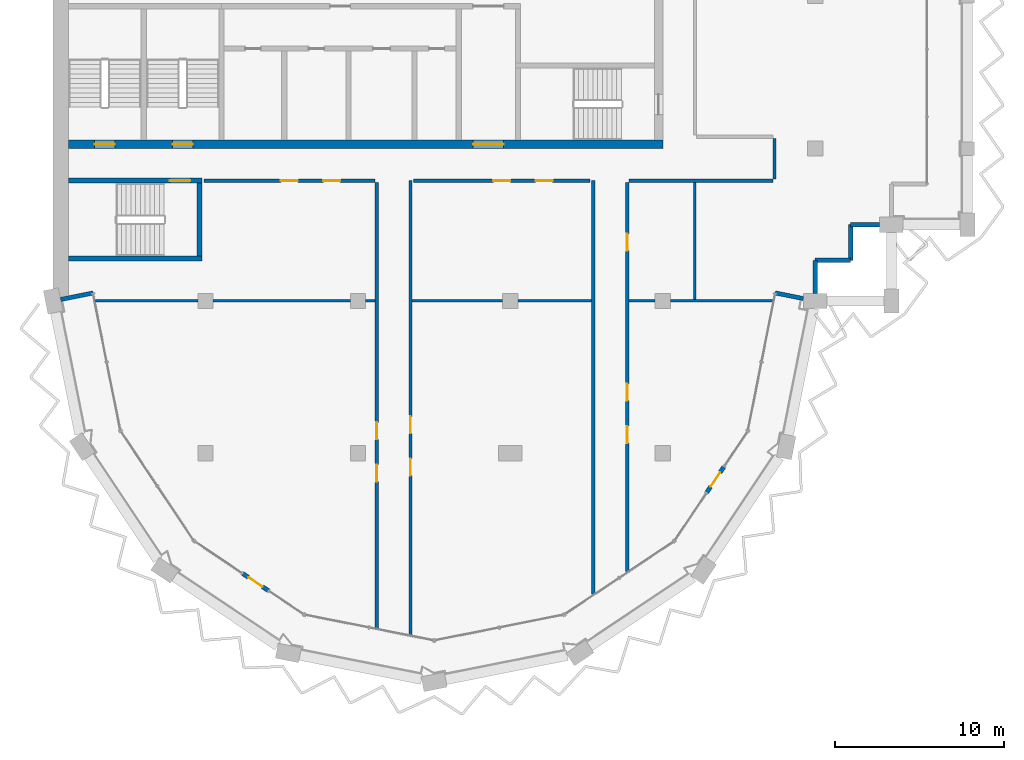
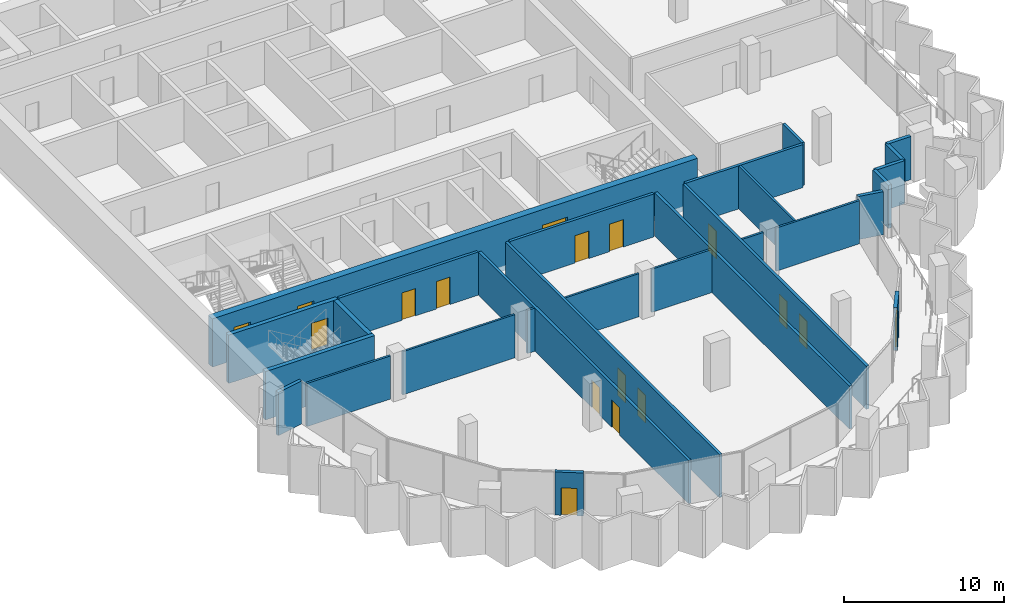
# One storey, part 7 of 14: 28 walls, 17 doors, 17 openings.
"""IFC4 building model written with IfcOpenShell, lengths in metres."""

from ifc_helpers import new_model, si_unit, direction, frame, frame_2d, origin, place, context, subcontext, project, spatial, rectangle, extrude, material, layer, layer_set, type_object, element, fill, save


model = new_model("IFC4")

# Units and contexts
model_context = context("Model", 3, precision=1e-05, world=origin(), true_north=direction((0.0, 1.0)))
body_context = subcontext(model_context, "Body", "Model", "MODEL_VIEW")
ifc_project = project(units=[si_unit("LENGTHUNIT", "METRE"), si_unit("AREAUNIT", "SQUARE_METRE"), si_unit("VOLUMEUNIT", "CUBIC_METRE"), si_unit("PLANEANGLEUNIT", "RADIAN"), si_unit("MASSUNIT", "GRAM", prefix="KILO")], contexts=[model_context])

# Site, building, storey
site_placement = place(None, origin())
site = spatial("IfcSite", under=ifc_project, at=site_placement, CompositionType="ELEMENT")
building_placement = place(site_placement, origin())
building = spatial("IfcBuilding", under=site, at=building_placement, Name="Hunhe Ridgeline Campus", CompositionType="ELEMENT")
storey_placement = place(building_placement, frame((0.0, 0.0, 291.89990234375)))
storey = spatial("IfcBuildingStorey", under=building, at=storey_placement, Name="L75", CompositionType="ELEMENT", Elevation=291.89990234375)

# Wall, openings, doors
ifc_material_1 = material(Name="Concrete C50", Category="concrete")
ifc_layer_1 = layer(ifc_material_1, 0.5)
ifc_layer_set_1 = layer_set([ifc_layer_1], Name="Core wall 500 reinforced concrete C50")
wall_type_1 = type_object("IfcWallType", Name="Core wall 500 reinforced concrete C50", PredefinedType="SOLIDWALL", material=ifc_layer_set_1)
wall_1_placement = place(storey_placement, frame((0.89990234375, 63.25, -0.39990234375), z_axis=(0.0, 0.0, 1.0), x_axis=(1.0, 0.0, 0.0)))
wall_1 = element("IfcWall", 1, at=wall_1_placement, inside=storey, type_object=wall_type_1, Name="L75 core wall 3", PredefinedType="SOLIDWALL", context=body_context, shape_type="SweptSolid", body=[
    extrude(rectangle(XDim=35.10009765625, YDim=0.5, at=frame_2d((17.550048828125, 0.0))), origin(), (0.0, 0.0, 1.0), 3.699951171875),
])
opening_1_placement = place(wall_1_placement, frame((23.89990234375, 0.0, 0.39990234375)))
opening_1 = element("IfcOpeningElement", 2, at=opening_1_placement, cuts=wall_1, Name="Opening CD6", PredefinedType="OPENING", context=body_context, shape_type="SweptSolid", body=[
    extrude(rectangle(XDim=1.800048828125, YDim=2.10009765625, at=frame_2d((0.89990234375, 1.050048828125))), frame((0.0, 0.25, 0.0), z_axis=(0.0, -1.0, 0.0), x_axis=(1.0, 0.0, 0.0)), (0.0, 0.0, 1.0), 0.5),
])
opening_2_placement = place(wall_1_placement, frame((1.550048828125, 0.0, 0.39990234375)))
opening_2 = element("IfcOpeningElement", 3, at=opening_2_placement, cuts=wall_1, Name="Opening CD13", PredefinedType="OPENING", context=body_context, shape_type="SweptSolid", body=[
    extrude(rectangle(XDim=1.199951171875, YDim=2.10009765625, at=frame_2d((0.60009765625, 1.050048828125))), frame((0.0, 0.25, 0.0), z_axis=(0.0, -1.0, 0.0), x_axis=(1.0, 0.0, 0.0)), (0.0, 0.0, 1.0), 0.5),
])
opening_3_placement = place(wall_1_placement, frame((6.14990234375, 0.0, 0.39990234375)))
opening_3 = element("IfcOpeningElement", 4, at=opening_3_placement, cuts=wall_1, Name="Opening CD14", PredefinedType="OPENING", context=body_context, shape_type="SweptSolid", body=[
    extrude(rectangle(XDim=1.199951171875, YDim=2.10009765625, at=frame_2d((0.60009765625, 1.050048828125))), frame((0.0, 0.25, 0.0), z_axis=(0.0, -1.0, 0.0), x_axis=(1.0, 0.0, 0.0)), (0.0, 0.0, 1.0), 0.5),
])
ifc_material_2 = material(Name="Anodised aluminium and glass", Category="aluminium")
door_type_1 = type_object("IfcDoorType", Name="Glazed double door 1800x2100", OperationType="DOUBLE_DOOR_SINGLE_SWING", PredefinedType="DOOR", material=ifc_material_2)
door_1_placement = place(opening_1_placement, frame((1.800048828125, 0.0, 0.0), z_axis=(0.0, 0.0, 1.0), x_axis=(-1.0, 0.0, 0.0)))
door_1 = element("IfcDoor", 5, at=door_1_placement, inside=storey, type_object=door_type_1, Name="L75 door VEST-FLOOR", OperationType="DOUBLE_DOOR_SINGLE_SWING", OverallHeight=2.10009765625, OverallWidth=1.800048828125, PredefinedType="DOOR", context=body_context, shape_type="SweptSolid", body=[
    extrude(rectangle(XDim=1.800048828125, YDim=2.10009765625, at=frame_2d((0.89990234375, 1.050048828125))), frame((0.0, 0.02490234375, 0.0), z_axis=(0.0, -1.0, 0.0), x_axis=(1.0, 0.0, 0.0)), (0.0, 0.0, 1.0), 0.050048828125),
])
fill(opening_1, door_1)
ifc_material_3 = material(Name="Hollow metal fire door leaf")
door_type_2 = type_object("IfcDoorType", Name="Stair door 1200x2100 FD60", OperationType="SINGLE_SWING_LEFT", PredefinedType="DOOR", material=ifc_material_3)
door_2_placement = place(opening_2_placement, frame((1.199951171875, 0.0, 0.0), z_axis=(0.0, 0.0, 1.0), x_axis=(-1.0, 0.0, 0.0)))
door_2 = element("IfcDoor", 6, at=door_2_placement, inside=storey, type_object=door_type_2, Name="L75 door S3", OperationType="SINGLE_SWING_LEFT", OverallHeight=2.10009765625, OverallWidth=1.199951171875, PredefinedType="DOOR", context=body_context, shape_type="SweptSolid", body=[
    extrude(rectangle(XDim=1.199951171875, YDim=2.10009765625, at=frame_2d((0.60009765625, 1.050048828125))), frame((0.0, 0.02490234375, 0.0), z_axis=(0.0, -1.0, 0.0), x_axis=(1.0, 0.0, 0.0)), (0.0, 0.0, 1.0), 0.050048828125),
])
fill(opening_2, door_2)
door_3_placement = place(opening_3_placement, frame((1.199951171875, 0.0, 0.0), z_axis=(0.0, 0.0, 1.0), x_axis=(-1.0, 0.0, 0.0)))
door_3 = element("IfcDoor", 7, at=door_3_placement, inside=storey, type_object=door_type_2, Name="L75 door S4", OperationType="SINGLE_SWING_RIGHT", OverallHeight=2.10009765625, OverallWidth=1.199951171875, PredefinedType="DOOR", context=body_context, shape_type="SweptSolid", body=[
    extrude(rectangle(XDim=1.199951171875, YDim=2.10009765625, at=frame_2d((0.60009765625, 1.050048828125))), frame((0.0, 0.02490234375, 0.0), z_axis=(0.0, -1.0, 0.0), x_axis=(1.0, 0.0, 0.0)), (0.0, 0.0, 1.0), 0.050048828125),
])
fill(opening_3, door_3)

# Walls
ifc_material_4 = material(Name="Concrete C30", Category="concrete")
ifc_layer_2 = layer(ifc_material_4, 0.25)
ifc_layer_set_2 = layer_set([ifc_layer_2], Name="Corner return wall 250 Concrete C30")
wall_type_2 = type_object("IfcWallType", Name="Corner return wall 250 Concrete C30", PredefinedType="SOLIDWALL", material=ifc_layer_set_2)
wall_2_placement = place(storey_placement, frame((0.441162109375, 54.088623046875, 0.0), z_axis=(0.0, 0.0, 1.0), x_axis=(0.980834936053, 0.194840519958, 0.0)))
element("IfcWall", 8, at=wall_2_placement, inside=storey, type_object=wall_type_2, Name="Corner return wall 1", PredefinedType="SOLIDWALL", context=body_context, shape_type="SweptSolid", body=[
    extrude(rectangle(XDim=1.950927734375, YDim=0.25, at=frame_2d((0.9755859375, 0.0))), origin(), (0.0, 0.0, 1.0), 3.300048828125),
])
wall_3_placement = place(storey_placement, frame((42.645263671875, 54.46875, 0.0), z_axis=(0.0, 0.0, 1.0), x_axis=(0.980846923473, -0.194780165092, 0.0)))
element("IfcWall", 9, at=wall_3_placement, inside=storey, type_object=wall_type_2, Name="Corner return wall 2", PredefinedType="SOLIDWALL", context=body_context, shape_type="SweptSolid", body=[
    extrude(rectangle(XDim=1.68701171875, YDim=0.25, at=frame_2d((0.843505859375, 0.0))), origin(), (0.0, 0.0, 1.0), 3.300048828125),
])
wall_4_placement = place(storey_placement, frame((44.9990234375, 54.449951171875, 0.0), z_axis=(0.0, 0.0, 1.0), x_axis=(0.000125156445, 0.999999992168, 0.0)))
element("IfcWall", 10, at=wall_4_placement, inside=storey, type_object=wall_type_2, Name="Corner return wall 3", PredefinedType="SOLIDWALL", context=body_context, shape_type="SweptSolid", body=[
    extrude(rectangle(XDim=1.95068359375, YDim=0.25, at=frame_2d((0.975341796875, 0.0))), origin(), (0.0, 0.0, 1.0), 3.300048828125),
])
wall_5_placement = place(storey_placement, frame((44.999267578125, 56.400634765625, 0.0), z_axis=(0.0, 0.0, 1.0), x_axis=(0.999999993241, 0.00011626555, 0.0)))
element("IfcWall", 11, at=wall_5_placement, inside=storey, type_object=wall_type_2, Name="Corner return wall 4", PredefinedType="SOLIDWALL", context=body_context, shape_type="SweptSolid", body=[
    extrude(rectangle(XDim=2.099853515625, YDim=0.25, at=frame_2d((1.0498046875, 0.0))), origin(), (0.0, 0.0, 1.0), 3.300048828125),
])
wall_6_placement = place(storey_placement, frame((47.09912109375, 56.40087890625, 0.0), z_axis=(0.0, 0.0, 1.0), x_axis=(0.000232504063, 0.999999972971, 0.0)))
element("IfcWall", 12, at=wall_6_placement, inside=storey, type_object=wall_type_2, Name="Corner return wall 5", PredefinedType="SOLIDWALL", context=body_context, shape_type="SweptSolid", body=[
    extrude(rectangle(XDim=2.10009765625, YDim=0.25, at=frame_2d((1.050048828125, 0.0))), origin(), (0.0, 0.0, 1.0), 3.300048828125),
])
wall_7_placement = place(storey_placement, frame((47.099609375, 58.5009765625, 0.0), z_axis=(0.0, 0.0, 1.0), x_axis=(1.0, 0.0, 0.0)))
element("IfcWall", 13, at=wall_7_placement, inside=storey, type_object=wall_type_2, Name="Corner return wall 6", PredefinedType="SOLIDWALL", context=body_context, shape_type="SweptSolid", body=[
    extrude(rectangle(XDim=1.700439453125, YDim=0.25, at=frame_2d((0.85009765625, 0.0))), origin(), (0.0, 0.0, 1.0), 3.300048828125),
])

# Wall, openings, doors
ifc_material_5 = material(Name="Gypsum board partition")
ifc_layer_3 = layer(ifc_material_5, 0.199951171875)
ifc_layer_set_3 = layer_set([ifc_layer_3], Name="Corridor partition 200 gypsum board on steel studs")
wall_type_3 = type_object("IfcWallType", Name="Corridor partition 200 gypsum board on steel studs", PredefinedType="PARTITIONING", material=ifc_layer_set_3)
wall_8_placement = place(storey_placement, frame((19.0, 61.10009765625, 0.0), z_axis=(0.0, 0.0, 1.0), x_axis=(-1.0, 0.0, 0.0)))
wall_8 = element("IfcWall", 14, at=wall_8_placement, inside=storey, type_object=wall_type_3, Name="F-L75-wall-008", PredefinedType="PARTITIONING", context=body_context, shape_type="SweptSolid", body=[
    extrude(rectangle(XDim=10.095947265625, YDim=0.199951171875, at=frame_2d((5.0478515625, 0.0))), origin(), (0.0, 0.0, 1.0), 3.300048828125),
])
opening_4_placement = place(wall_8_placement, frame((4.548095703125, 0.0, 0.0)))
opening_4 = element("IfcOpeningElement", 15, at=opening_4_placement, cuts=wall_8, Name="Opening RD1-008", PredefinedType="OPENING", context=body_context, shape_type="SweptSolid", body=[
    extrude(rectangle(XDim=1.0, YDim=2.10009765625, at=frame_2d((0.5, 1.050048828125))), frame((0.0, 0.10009765625, 0.0), z_axis=(0.0, -1.0, 0.0), x_axis=(1.0, 0.0, 0.0)), (0.0, 0.0, 1.0), 0.199951171875),
])
opening_5_placement = place(wall_8_placement, frame((2.048095703125, 0.0, 0.0)))
opening_5 = element("IfcOpeningElement", 16, at=opening_5_placement, cuts=wall_8, Name="Opening RD1-009", PredefinedType="OPENING", context=body_context, shape_type="SweptSolid", body=[
    extrude(rectangle(XDim=1.0, YDim=2.10009765625, at=frame_2d((0.5, 1.050048828125))), frame((0.0, 0.10009765625, 0.0), z_axis=(0.0, -1.0, 0.0), x_axis=(1.0, 0.0, 0.0)), (0.0, 0.0, 1.0), 0.199951171875),
])
ifc_material_6 = material(Name="Timber door leaf", Category="wood")
door_type_3 = type_object("IfcDoorType", Name="Single fire door 1000x2100 timber FD60", OperationType="NOTDEFINED", PredefinedType="DOOR", material=ifc_material_6)
door_4_placement = place(opening_4_placement, frame((1.0, 0.0, 0.0), z_axis=(0.0, 0.0, 1.0), x_axis=(-1.0, 0.0, 0.0)))
door_4 = element("IfcDoor", 17, at=door_4_placement, inside=storey, type_object=door_type_3, Name="F-L75-door-008", OperationType="SINGLE_SWING_RIGHT", OverallHeight=2.10009765625, OverallWidth=1.0, PredefinedType="DOOR", context=body_context, shape_type="SweptSolid", body=[
    extrude(rectangle(XDim=1.0, YDim=2.10009765625, at=frame_2d((0.5, 1.050048828125))), frame((0.0, 0.02490234375, 0.0), z_axis=(0.0, -1.0, 0.0), x_axis=(1.0, 0.0, 0.0)), (0.0, 0.0, 1.0), 0.050048828125),
])
fill(opening_4, door_4)
door_5_placement = place(opening_5_placement, frame((1.0, 0.0, 0.0), z_axis=(0.0, 0.0, 1.0), x_axis=(-1.0, 0.0, 0.0)))
door_5 = element("IfcDoor", 18, at=door_5_placement, inside=storey, type_object=door_type_3, Name="F-L75-door-009", OperationType="SINGLE_SWING_RIGHT", OverallHeight=2.10009765625, OverallWidth=1.0, PredefinedType="DOOR", context=body_context, shape_type="SweptSolid", body=[
    extrude(rectangle(XDim=1.0, YDim=2.10009765625, at=frame_2d((0.5, 1.050048828125))), frame((0.0, 0.02490234375, 0.0), z_axis=(0.0, -1.0, 0.0), x_axis=(1.0, 0.0, 0.0)), (0.0, 0.0, 1.0), 0.050048828125),
])
fill(opening_5, door_5)

wall_9_placement = place(storey_placement, frame((31.6982421875, 61.10009765625, 0.0), z_axis=(0.0, 0.0, 1.0), x_axis=(-1.0, 0.0, 0.0)))
wall_9 = element("IfcWall", 19, at=wall_9_placement, inside=storey, type_object=wall_type_3, Name="F-L75-wall-009", PredefinedType="PARTITIONING", context=body_context, shape_type="SweptSolid", body=[
    extrude(rectangle(XDim=10.406005859375, YDim=0.199951171875, at=frame_2d((5.203125, 0.0))), origin(), (0.0, 0.0, 1.0), 3.300048828125),
])
opening_6_placement = place(wall_9_placement, frame((4.703125, 0.0, 0.0)))
opening_6 = element("IfcOpeningElement", 20, at=opening_6_placement, cuts=wall_9, Name="Opening RD1-010", PredefinedType="OPENING", context=body_context, shape_type="SweptSolid", body=[
    extrude(rectangle(XDim=1.0, YDim=2.10009765625, at=frame_2d((0.5, 1.050048828125))), frame((0.0, 0.10009765625, 0.0), z_axis=(0.0, -1.0, 0.0), x_axis=(1.0, 0.0, 0.0)), (0.0, 0.0, 1.0), 0.199951171875),
])
opening_7_placement = place(wall_9_placement, frame((2.203125, 0.0, 0.0)))
opening_7 = element("IfcOpeningElement", 21, at=opening_7_placement, cuts=wall_9, Name="Opening RD1-011", PredefinedType="OPENING", context=body_context, shape_type="SweptSolid", body=[
    extrude(rectangle(XDim=1.0, YDim=2.10009765625, at=frame_2d((0.5, 1.050048828125))), frame((0.0, 0.10009765625, 0.0), z_axis=(0.0, -1.0, 0.0), x_axis=(1.0, 0.0, 0.0)), (0.0, 0.0, 1.0), 0.199951171875),
])
door_6_placement = place(opening_6_placement, frame((1.0, 0.0, 0.0), z_axis=(0.0, 0.0, 1.0), x_axis=(-1.0, 0.0, 0.0)))
door_6 = element("IfcDoor", 22, at=door_6_placement, inside=storey, type_object=door_type_3, Name="F-L75-door-010", OperationType="SINGLE_SWING_LEFT", OverallHeight=2.10009765625, OverallWidth=1.0, PredefinedType="DOOR", context=body_context, shape_type="SweptSolid", body=[
    extrude(rectangle(XDim=1.0, YDim=2.10009765625, at=frame_2d((0.5, 1.050048828125))), frame((0.0, 0.02490234375, 0.0), z_axis=(0.0, -1.0, 0.0), x_axis=(1.0, 0.0, 0.0)), (0.0, 0.0, 1.0), 0.050048828125),
])
fill(opening_6, door_6)
door_7_placement = place(opening_7_placement, frame((1.0, 0.0, 0.0), z_axis=(0.0, 0.0, 1.0), x_axis=(-1.0, 0.0, 0.0)))
door_7 = element("IfcDoor", 23, at=door_7_placement, inside=storey, type_object=door_type_3, Name="F-L75-door-011", OperationType="SINGLE_SWING_RIGHT", OverallHeight=2.10009765625, OverallWidth=1.0, PredefinedType="DOOR", context=body_context, shape_type="SweptSolid", body=[
    extrude(rectangle(XDim=1.0, YDim=2.10009765625, at=frame_2d((0.5, 1.050048828125))), frame((0.0, 0.02490234375, 0.0), z_axis=(0.0, -1.0, 0.0), x_axis=(1.0, 0.0, 0.0)), (0.0, 0.0, 1.0), 0.050048828125),
])
fill(opening_7, door_7)

# Wall
wall_10_placement = place(storey_placement, frame((42.5, 61.10009765625, 0.0), z_axis=(0.0, 0.0, 1.0), x_axis=(-1.0, 0.0, 0.0)))
element("IfcWall", 24, at=wall_10_placement, inside=storey, type_object=wall_type_3, Name="F-L75-wall-010", PredefinedType="PARTITIONING", context=body_context, shape_type="SweptSolid", body=[
    extrude(rectangle(XDim=8.5, YDim=0.199951171875, at=frame_2d((4.25, 0.0))), origin(), (0.0, 0.0, 1.0), 3.300048828125),
])

# Wall, openings, doors
wall_11_placement = place(storey_placement, frame((19.10009765625, 34.679443359375, 0.0), z_axis=(0.0, 0.0, 1.0), x_axis=(0.0, 1.0, 0.0)))
wall_11 = element("IfcWall", 25, at=wall_11_placement, inside=storey, type_object=wall_type_3, Name="F-L75-wall-017", PredefinedType="PARTITIONING", context=body_context, shape_type="SweptSolid", body=[
    extrude(rectangle(XDim=26.320556640625, YDim=0.199951171875, at=frame_2d((13.16015625, 0.0))), origin(), (0.0, 0.0, 1.0), 3.300048828125),
])
opening_8_placement = place(wall_11_placement, frame((8.65087890625, 0.0, 0.0)))
opening_8 = element("IfcOpeningElement", 26, at=opening_8_placement, cuts=wall_11, Name="Opening RD1-001", PredefinedType="OPENING", context=body_context, shape_type="SweptSolid", body=[
    extrude(rectangle(XDim=1.0, YDim=2.10009765625, at=frame_2d((0.5, 1.050048828125))), frame((0.0, 0.10009765625, 0.0), z_axis=(0.0, -1.0, 0.0), x_axis=(1.0, 0.0, 0.0)), (0.0, 0.0, 1.0), 0.199951171875),
])
opening_9_placement = place(wall_11_placement, frame((11.15087890625, 0.0, 0.0)))
opening_9 = element("IfcOpeningElement", 27, at=opening_9_placement, cuts=wall_11, Name="Opening RD1-004", PredefinedType="OPENING", context=body_context, shape_type="SweptSolid", body=[
    extrude(rectangle(XDim=1.0, YDim=2.10009765625, at=frame_2d((0.5, 1.050048828125))), frame((0.0, 0.10009765625, 0.0), z_axis=(0.0, -1.0, 0.0), x_axis=(1.0, 0.0, 0.0)), (0.0, 0.0, 1.0), 0.199951171875),
])
door_8_placement = place(opening_8_placement, frame((1.0, 0.0, 0.0), z_axis=(0.0, 0.0, 1.0), x_axis=(-1.0, 0.0, 0.0)))
door_8 = element("IfcDoor", 28, at=door_8_placement, inside=storey, type_object=door_type_3, Name="F-L75-door-001", OperationType="SINGLE_SWING_RIGHT", OverallHeight=2.10009765625, OverallWidth=1.0, PredefinedType="DOOR", context=body_context, shape_type="SweptSolid", body=[
    extrude(rectangle(XDim=1.0, YDim=2.10009765625, at=frame_2d((0.5, 1.050048828125))), frame((0.0, 0.02490234375, 0.0), z_axis=(0.0, -1.0, 0.0), x_axis=(1.0, 0.0, 0.0)), (0.0, 0.0, 1.0), 0.050048828125),
])
fill(opening_8, door_8)
door_9_placement = place(opening_9_placement, frame((1.0, 0.0, 0.0), z_axis=(0.0, 0.0, 1.0), x_axis=(-1.0, 0.0, 0.0)))
door_9 = element("IfcDoor", 29, at=door_9_placement, inside=storey, type_object=door_type_3, Name="F-L75-door-004", OperationType="SINGLE_SWING_LEFT", OverallHeight=2.10009765625, OverallWidth=1.0, PredefinedType="DOOR", context=body_context, shape_type="SweptSolid", body=[
    extrude(rectangle(XDim=1.0, YDim=2.10009765625, at=frame_2d((0.5, 1.050048828125))), frame((0.0, 0.02490234375, 0.0), z_axis=(0.0, -1.0, 0.0), x_axis=(1.0, 0.0, 0.0)), (0.0, 0.0, 1.0), 0.050048828125),
])
fill(opening_9, door_9)

wall_12_placement = place(storey_placement, frame((21.10009765625, 61.10009765625, 0.0), z_axis=(0.0, 0.0, 1.0), x_axis=(0.0, -1.0, 0.0)))
wall_12 = element("IfcWall", 30, at=wall_12_placement, inside=storey, type_object=wall_type_3, Name="F-L75-wall-018", PredefinedType="PARTITIONING", context=body_context, shape_type="SweptSolid", body=[
    extrude(rectangle(XDim=26.818603515625, YDim=0.199951171875, at=frame_2d((13.4091796875, 0.0))), origin(), (0.0, 0.0, 1.0), 3.300048828125),
])
opening_10_placement = place(wall_12_placement, frame((16.418212890625, 0.0, 0.0)))
opening_10 = element("IfcOpeningElement", 31, at=opening_10_placement, cuts=wall_12, Name="Opening RD1-002", PredefinedType="OPENING", context=body_context, shape_type="SweptSolid", body=[
    extrude(rectangle(XDim=1.0, YDim=2.10009765625, at=frame_2d((0.5, 1.050048828125))), frame((0.0, 0.10009765625, 0.0), z_axis=(0.0, -1.0, 0.0), x_axis=(1.0, 0.0, 0.0)), (0.0, 0.0, 1.0), 0.199951171875),
])
opening_11_placement = place(wall_12_placement, frame((13.918212890625, 0.0, 0.0)))
opening_11 = element("IfcOpeningElement", 32, at=opening_11_placement, cuts=wall_12, Name="Opening RD1-005", PredefinedType="OPENING", context=body_context, shape_type="SweptSolid", body=[
    extrude(rectangle(XDim=1.0, YDim=2.10009765625, at=frame_2d((0.5, 1.050048828125))), frame((0.0, 0.10009765625, 0.0), z_axis=(0.0, -1.0, 0.0), x_axis=(1.0, 0.0, 0.0)), (0.0, 0.0, 1.0), 0.199951171875),
])
door_10_placement = place(opening_10_placement, frame((1.0, 0.0, 0.0), z_axis=(0.0, 0.0, 1.0), x_axis=(-1.0, 0.0, 0.0)))
door_10 = element("IfcDoor", 33, at=door_10_placement, inside=storey, type_object=door_type_3, Name="F-L75-door-002", OperationType="SINGLE_SWING_RIGHT", OverallHeight=2.10009765625, OverallWidth=1.0, PredefinedType="DOOR", context=body_context, shape_type="SweptSolid", body=[
    extrude(rectangle(XDim=1.0, YDim=2.10009765625, at=frame_2d((0.5, 1.050048828125))), frame((0.0, 0.02490234375, 0.0), z_axis=(0.0, -1.0, 0.0), x_axis=(1.0, 0.0, 0.0)), (0.0, 0.0, 1.0), 0.050048828125),
])
fill(opening_10, door_10)
door_11_placement = place(opening_11_placement, frame((1.0, 0.0, 0.0), z_axis=(0.0, 0.0, 1.0), x_axis=(-1.0, 0.0, 0.0)))
door_11 = element("IfcDoor", 34, at=door_11_placement, inside=storey, type_object=door_type_3, Name="F-L75-door-005", OperationType="SINGLE_SWING_RIGHT", OverallHeight=2.10009765625, OverallWidth=1.0, PredefinedType="DOOR", context=body_context, shape_type="SweptSolid", body=[
    extrude(rectangle(XDim=1.0, YDim=2.10009765625, at=frame_2d((0.5, 1.050048828125))), frame((0.0, 0.02490234375, 0.0), z_axis=(0.0, -1.0, 0.0), x_axis=(1.0, 0.0, 0.0)), (0.0, 0.0, 1.0), 0.050048828125),
])
fill(opening_11, door_11)

# Wall
wall_13_placement = place(storey_placement, frame((31.89990234375, 36.69287109375, 0.0), z_axis=(0.0, 0.0, 1.0), x_axis=(0.0, 1.0, 0.0)))
element("IfcWall", 35, at=wall_13_placement, inside=storey, type_object=wall_type_3, Name="F-L75-wall-019", PredefinedType="PARTITIONING", context=body_context, shape_type="SweptSolid", body=[
    extrude(rectangle(XDim=24.4072265625, YDim=0.199951171875, at=frame_2d((12.20361328125, 0.0))), origin(), (0.0, 0.0, 1.0), 3.300048828125),
])

# Wall, openings, doors
wall_14_placement = place(storey_placement, frame((33.89990234375, 61.0, 0.0), z_axis=(0.0, 0.0, 1.0), x_axis=(0.0, -1.0, 0.0)))
wall_14 = element("IfcWall", 36, at=wall_14_placement, inside=storey, type_object=wall_type_3, Name="F-L75-wall-020", PredefinedType="PARTITIONING", context=body_context, shape_type="SweptSolid", body=[
    extrude(rectangle(XDim=22.970703125, YDim=0.199951171875, at=frame_2d((11.4853515625, 0.0))), origin(), (0.0, 0.0, 1.0), 3.300048828125),
])
opening_12_placement = place(wall_14_placement, frame((14.39306640625, 0.0, 0.0)))
opening_12 = element("IfcOpeningElement", 37, at=opening_12_placement, cuts=wall_14, Name="Opening RD1-003", PredefinedType="OPENING", context=body_context, shape_type="SweptSolid", body=[
    extrude(rectangle(XDim=1.0, YDim=2.10009765625, at=frame_2d((0.5, 1.050048828125))), frame((0.0, 0.10009765625, 0.0), z_axis=(0.0, -1.0, 0.0), x_axis=(1.0, 0.0, 0.0)), (0.0, 0.0, 1.0), 0.199951171875),
])
opening_13_placement = place(wall_14_placement, frame((11.89306640625, 0.0, 0.0)))
opening_13 = element("IfcOpeningElement", 38, at=opening_13_placement, cuts=wall_14, Name="Opening RD1-006", PredefinedType="OPENING", context=body_context, shape_type="SweptSolid", body=[
    extrude(rectangle(XDim=1.0, YDim=2.10009765625, at=frame_2d((0.5, 1.050048828125))), frame((0.0, 0.10009765625, 0.0), z_axis=(0.0, -1.0, 0.0), x_axis=(1.0, 0.0, 0.0)), (0.0, 0.0, 1.0), 0.199951171875),
])
opening_14_placement = place(wall_14_placement, frame((3.033935546875, 0.0, 0.0)))
opening_14 = element("IfcOpeningElement", 39, at=opening_14_placement, cuts=wall_14, Name="Opening RD1-007", PredefinedType="OPENING", context=body_context, shape_type="SweptSolid", body=[
    extrude(rectangle(XDim=1.0, YDim=2.10009765625, at=frame_2d((0.5, 1.050048828125))), frame((0.0, 0.10009765625, 0.0), z_axis=(0.0, -1.0, 0.0), x_axis=(1.0, 0.0, 0.0)), (0.0, 0.0, 1.0), 0.199951171875),
])
door_12_placement = place(opening_12_placement, frame((1.0, 0.0, 0.0), z_axis=(0.0, 0.0, 1.0), x_axis=(-1.0, 0.0, 0.0)))
door_12 = element("IfcDoor", 40, at=door_12_placement, inside=storey, type_object=door_type_3, Name="F-L75-door-003", OperationType="SINGLE_SWING_RIGHT", OverallHeight=2.10009765625, OverallWidth=1.0, PredefinedType="DOOR", context=body_context, shape_type="SweptSolid", body=[
    extrude(rectangle(XDim=1.0, YDim=2.10009765625, at=frame_2d((0.5, 1.050048828125))), frame((0.0, 0.02490234375, 0.0), z_axis=(0.0, -1.0, 0.0), x_axis=(1.0, 0.0, 0.0)), (0.0, 0.0, 1.0), 0.050048828125),
])
fill(opening_12, door_12)
door_13_placement = place(opening_13_placement, frame((1.0, 0.0, 0.0), z_axis=(0.0, 0.0, 1.0), x_axis=(-1.0, 0.0, 0.0)))
door_13 = element("IfcDoor", 41, at=door_13_placement, inside=storey, type_object=door_type_3, Name="F-L75-door-006", OperationType="SINGLE_SWING_RIGHT", OverallHeight=2.10009765625, OverallWidth=1.0, PredefinedType="DOOR", context=body_context, shape_type="SweptSolid", body=[
    extrude(rectangle(XDim=1.0, YDim=2.10009765625, at=frame_2d((0.5, 1.050048828125))), frame((0.0, 0.02490234375, 0.0), z_axis=(0.0, -1.0, 0.0), x_axis=(1.0, 0.0, 0.0)), (0.0, 0.0, 1.0), 0.050048828125),
])
fill(opening_13, door_13)
door_14_placement = place(opening_14_placement, origin())
door_14 = element("IfcDoor", 42, at=door_14_placement, inside=storey, type_object=door_type_3, Name="F-L75-door-007", OperationType="SINGLE_SWING_RIGHT", OverallHeight=2.10009765625, OverallWidth=1.0, PredefinedType="DOOR", context=body_context, shape_type="SweptSolid", body=[
    extrude(rectangle(XDim=1.0, YDim=2.10009765625, at=frame_2d((0.5, 1.050048828125))), frame((0.0, 0.02490234375, 0.0), z_axis=(0.0, -1.0, 0.0), x_axis=(1.0, 0.0, 0.0)), (0.0, 0.0, 1.0), 0.050048828125),
])
fill(opening_14, door_14)

# Wall
wall_15_placement = place(storey_placement, frame((42.60009765625, 63.60009765625, 0.0), z_axis=(0.0, 0.0, 1.0), x_axis=(0.0, -1.0, 0.0)))
element("IfcWall", 43, at=wall_15_placement, inside=storey, type_object=wall_type_3, Name="F-L75-wall-025", PredefinedType="PARTITIONING", context=body_context, shape_type="SweptSolid", body=[
    extrude(rectangle(XDim=2.400146484375, YDim=0.199951171875, at=frame_2d((1.2001953125, 0.0))), origin(), (0.0, 0.0, 1.0), 3.300048828125),
])

# Wall, opening, door
ifc_layer_4 = layer(ifc_material_4, 0.25)
ifc_layer_set_4 = layer_set([ifc_layer_4], Name="Loggia door pier wall 250 Concrete C30")
wall_type_4 = type_object("IfcWallType", Name="Loggia door pier wall 250 Concrete C30", PredefinedType="SOLIDWALL", material=ifc_layer_set_4)
wall_16_placement = place(storey_placement, frame((11.19970703125, 37.897705078125, 0.0), z_axis=(0.0, 0.0, 1.0), x_axis=(0.83146554274, -0.555576323502, 0.0)))
wall_16 = element("IfcWall", 44, at=wall_16_placement, inside=storey, type_object=wall_type_4, Name="Loggia door pier 1", PredefinedType="SOLIDWALL", context=body_context, shape_type="SweptSolid", body=[
    extrude(rectangle(XDim=1.800048828125, YDim=0.25, at=frame_2d((0.89990234375, 0.0))), origin(), (0.0, 0.0, 1.0), 3.300048828125),
])
opening_15_placement = place(wall_16_placement, frame((0.39990234375, 0.0, 0.0)))
opening_15 = element("IfcOpeningElement", 45, at=opening_15_placement, cuts=wall_16, Name="Opening BD602", PredefinedType="OPENING", context=body_context, shape_type="SweptSolid", body=[
    extrude(rectangle(XDim=1.0, YDim=2.10009765625, at=frame_2d((0.5, 1.050048828125))), frame((0.0, 0.125, 0.0), z_axis=(0.0, -1.0, 0.0), x_axis=(1.0, 0.0, 0.0)), (0.0, 0.0, 1.0), 0.25),
])
ifc_material_7 = material(Name="Aluminium 6063", Category="aluminium")
door_type_4 = type_object("IfcDoorType", Name="Loggia glazed door 1000x2100", OperationType="NOTDEFINED", PredefinedType="DOOR", material=ifc_material_7)
door_15_placement = place(opening_15_placement, frame((1.0, 0.0, 0.0), z_axis=(0.0, 0.0, 1.0), x_axis=(-1.0, 0.0, 0.0)))
door_15 = element("IfcDoor", 46, at=door_15_placement, inside=storey, type_object=door_type_4, Name="Loggia door BD602", OperationType="SINGLE_SWING_LEFT", OverallHeight=2.10009765625, OverallWidth=1.0, PredefinedType="DOOR", context=body_context, shape_type="SweptSolid", body=[
    extrude(rectangle(XDim=1.0, YDim=2.10009765625, at=frame_2d((0.5, 1.050048828125))), frame((0.0, 0.02490234375, 0.0), z_axis=(0.0, -1.0, 0.0), x_axis=(1.0, 0.0, 0.0)), (0.0, 0.0, 1.0), 0.050048828125),
])
fill(opening_15, door_15)

wall_17_placement = place(storey_placement, frame((38.602294921875, 42.69970703125, 0.0), z_axis=(0.0, 0.0, 1.0), x_axis=(0.555576323502, 0.83146554274, 0.0)))
wall_17 = element("IfcWall", 47, at=wall_17_placement, inside=storey, type_object=wall_type_4, Name="Loggia door pier 2", PredefinedType="SOLIDWALL", context=body_context, shape_type="SweptSolid", body=[
    extrude(rectangle(XDim=1.800048828125, YDim=0.25, at=frame_2d((0.89990234375, 0.0))), origin(), (0.0, 0.0, 1.0), 3.300048828125),
])
opening_16_placement = place(wall_17_placement, frame((0.39990234375, 0.0, 0.0)))
opening_16 = element("IfcOpeningElement", 48, at=opening_16_placement, cuts=wall_17, Name="Opening BD604", PredefinedType="OPENING", context=body_context, shape_type="SweptSolid", body=[
    extrude(rectangle(XDim=1.0, YDim=2.10009765625, at=frame_2d((0.5, 1.050048828125))), frame((0.0, 0.125, 0.0), z_axis=(0.0, -1.0, 0.0), x_axis=(1.0, 0.0, 0.0)), (0.0, 0.0, 1.0), 0.25),
])
door_16_placement = place(opening_16_placement, frame((1.0, 0.0, 0.0), z_axis=(0.0, 0.0, 1.0), x_axis=(-1.0, 0.0, 0.0)))
door_16 = element("IfcDoor", 49, at=door_16_placement, inside=storey, type_object=door_type_4, Name="Loggia door BD604", OperationType="SINGLE_SWING_LEFT", OverallHeight=2.10009765625, OverallWidth=1.0, PredefinedType="DOOR", context=body_context, shape_type="SweptSolid", body=[
    extrude(rectangle(XDim=1.0, YDim=2.10009765625, at=frame_2d((0.5, 1.050048828125))), frame((0.0, 0.02490234375, 0.0), z_axis=(0.0, -1.0, 0.0), x_axis=(1.0, 0.0, 0.0)), (0.0, 0.0, 1.0), 0.050048828125),
])
fill(opening_16, door_16)

# Walls
ifc_layer_5 = layer(ifc_material_5, 0.14990234375)
ifc_layer_set_5 = layer_set([ifc_layer_5], Name="Room partition 150 gypsum board on steel studs")
wall_type_5 = type_object("IfcWallType", Name="Room partition 150 gypsum board on steel studs", PredefinedType="PARTITIONING", material=ifc_layer_set_5)
wall_18_placement = place(storey_placement, frame((2.503173828125, 54.0, 0.0), z_axis=(0.0, 0.0, 1.0), x_axis=(1.0, 0.0, 0.0)))
element("IfcWall", 50, at=wall_18_placement, inside=storey, type_object=wall_type_5, Name="F-L75-wall-001", PredefinedType="PARTITIONING", context=body_context, shape_type="SweptSolid", body=[
    extrude(rectangle(XDim=6.046875, YDim=0.14990234375, at=frame_2d((3.0234375, 0.0))), origin(), (0.0, 0.0, 1.0), 3.300048828125),
])
wall_19_placement = place(storey_placement, frame((9.449951171875, 54.0, 0.0), z_axis=(0.0, 0.0, 1.0), x_axis=(1.0, 0.0, 0.0)))
element("IfcWall", 51, at=wall_19_placement, inside=storey, type_object=wall_type_5, Name="F-L75-wall-002", PredefinedType="PARTITIONING", context=body_context, shape_type="SweptSolid", body=[
    extrude(rectangle(XDim=8.10009765625, YDim=0.14990234375, at=frame_2d((4.050048828125, 0.0))), origin(), (0.0, 0.0, 1.0), 3.300048828125),
])
wall_20_placement = place(storey_placement, frame((18.449951171875, 54.0, 0.0), z_axis=(0.0, 0.0, 1.0), x_axis=(1.0, 0.0, 0.0)))
element("IfcWall", 52, at=wall_20_placement, inside=storey, type_object=wall_type_5, Name="F-L75-wall-003", PredefinedType="PARTITIONING", context=body_context, shape_type="SweptSolid", body=[
    extrude(rectangle(XDim=0.550048828125, YDim=0.14990234375, at=frame_2d((0.27490234375, 0.0))), origin(), (0.0, 0.0, 1.0), 3.300048828125),
])
wall_21_placement = place(storey_placement, frame((21.199951171875, 54.0, 0.0), z_axis=(0.0, 0.0, 1.0), x_axis=(1.0, 0.0, 0.0)))
element("IfcWall", 53, at=wall_21_placement, inside=storey, type_object=wall_type_5, Name="F-L75-wall-004", PredefinedType="PARTITIONING", context=body_context, shape_type="SweptSolid", body=[
    extrude(rectangle(XDim=5.35009765625, YDim=0.14990234375, at=frame_2d((2.675048828125, 0.0))), origin(), (0.0, 0.0, 1.0), 3.300048828125),
])
wall_22_placement = place(storey_placement, frame((27.449951171875, 54.0, 0.0), z_axis=(0.0, 0.0, 1.0), x_axis=(1.0, 0.0, 0.0)))
element("IfcWall", 54, at=wall_22_placement, inside=storey, type_object=wall_type_5, Name="F-L75-wall-005", PredefinedType="PARTITIONING", context=body_context, shape_type="SweptSolid", body=[
    extrude(rectangle(XDim=4.35009765625, YDim=0.14990234375, at=frame_2d((2.175048828125, 0.0))), origin(), (0.0, 0.0, 1.0), 3.300048828125),
])
wall_23_placement = place(storey_placement, frame((34.0, 54.0, 0.0), z_axis=(0.0, 0.0, 1.0), x_axis=(1.0, 0.0, 0.0)))
element("IfcWall", 55, at=wall_23_placement, inside=storey, type_object=wall_type_5, Name="F-L75-wall-006", PredefinedType="PARTITIONING", context=body_context, shape_type="SweptSolid", body=[
    extrude(rectangle(XDim=1.550048828125, YDim=0.14990234375, at=frame_2d((0.77490234375, 0.0))), origin(), (0.0, 0.0, 1.0), 3.300048828125),
])
wall_24_placement = place(storey_placement, frame((36.449951171875, 54.0, 0.0), z_axis=(0.0, 0.0, 1.0), x_axis=(1.0, 0.0, 0.0)))
element("IfcWall", 56, at=wall_24_placement, inside=storey, type_object=wall_type_5, Name="F-L75-wall-007", PredefinedType="PARTITIONING", context=body_context, shape_type="SweptSolid", body=[
    extrude(rectangle(XDim=6.047119140625, YDim=0.14990234375, at=frame_2d((3.0234375, 0.0))), origin(), (0.0, 0.0, 1.0), 3.300048828125),
])
wall_25_placement = place(storey_placement, frame((37.89990234375, 61.0, 0.0), z_axis=(0.0, 0.0, 1.0), x_axis=(0.0, -1.0, 0.0)))
element("IfcWall", 57, at=wall_25_placement, inside=storey, type_object=wall_type_5, Name="F-L75-wall-021", PredefinedType="PARTITIONING", context=body_context, shape_type="SweptSolid", body=[
    extrude(rectangle(XDim=6.925048828125, YDim=0.14990234375, at=frame_2d((3.46240234375, 0.0))), origin(), (0.0, 0.0, 1.0), 3.300048828125),
])
ifc_layer_6 = layer(ifc_material_1, 0.300048828125)
ifc_layer_set_6 = layer_set([ifc_layer_6], Name="Stair wall 300 reinforced concrete C50")
wall_type_6 = type_object("IfcWallType", Name="Stair wall 300 reinforced concrete C50", PredefinedType="SOLIDWALL", material=ifc_layer_set_6)
wall_26_placement = place(storey_placement, frame((0.89990234375, 56.5, -0.39990234375), z_axis=(0.0, 0.0, 1.0), x_axis=(1.0, 0.0, 0.0)))
element("IfcWall", 58, at=wall_26_placement, inside=storey, type_object=wall_type_6, Name="L75 core wall 1", PredefinedType="SOLIDWALL", context=body_context, shape_type="SweptSolid", body=[
    extrude(rectangle(XDim=7.900146484375, YDim=0.300048828125, at=frame_2d((3.9501953125, 0.0))), origin(), (0.0, 0.0, 1.0), 3.699951171875),
])

# Wall, opening, door
wall_27_placement = place(storey_placement, frame((0.89990234375, 61.10009765625, -0.39990234375), z_axis=(0.0, 0.0, 1.0), x_axis=(1.0, 0.0, 0.0)))
wall_27 = element("IfcWall", 59, at=wall_27_placement, inside=storey, type_object=wall_type_6, Name="L75 core wall 2", PredefinedType="SOLIDWALL", context=body_context, shape_type="SweptSolid", body=[
    extrude(rectangle(XDim=7.900146484375, YDim=0.300048828125, at=frame_2d((3.9501953125, 0.0))), origin(), (0.0, 0.0, 1.0), 3.699951171875),
])
opening_17_placement = place(wall_27_placement, frame((6.0, 0.0, 0.39990234375)))
opening_17 = element("IfcOpeningElement", 60, at=opening_17_placement, cuts=wall_27, Name="Opening CD22", PredefinedType="OPENING", context=body_context, shape_type="SweptSolid", body=[
    extrude(rectangle(XDim=1.199951171875, YDim=2.10009765625, at=frame_2d((0.60009765625, 1.050048828125))), frame((0.0, 0.14990234375, 0.0), z_axis=(0.0, -1.0, 0.0), x_axis=(1.0, 0.0, 0.0)), (0.0, 0.0, 1.0), 0.300048828125),
])
door_17_placement = place(opening_17_placement, origin())
door_17 = element("IfcDoor", 61, at=door_17_placement, inside=storey, type_object=door_type_2, Name="L75 door W2", OperationType="SINGLE_SWING_LEFT", OverallHeight=2.10009765625, OverallWidth=1.199951171875, PredefinedType="DOOR", context=body_context, shape_type="SweptSolid", body=[
    extrude(rectangle(XDim=1.199951171875, YDim=2.10009765625, at=frame_2d((0.60009765625, 1.050048828125))), frame((0.0, 0.02490234375, 0.0), z_axis=(0.0, -1.0, 0.0), x_axis=(1.0, 0.0, 0.0)), (0.0, 0.0, 1.0), 0.050048828125),
])
fill(opening_17, door_17)

# Wall
wall_28_placement = place(storey_placement, frame((8.64990234375, 56.64990234375, -0.39990234375), z_axis=(0.0, 0.0, 1.0), x_axis=(0.0, 1.0, 0.0)))
element("IfcWall", 62, at=wall_28_placement, inside=storey, type_object=wall_type_6, Name="L75 core wall 27", PredefinedType="SOLIDWALL", context=body_context, shape_type="SweptSolid", body=[
    extrude(rectangle(XDim=4.300048828125, YDim=0.300048828125, at=frame_2d((2.14990234375, 0.0))), origin(), (0.0, 0.0, 1.0), 3.699951171875),
])

save(model, "model.ifc")
